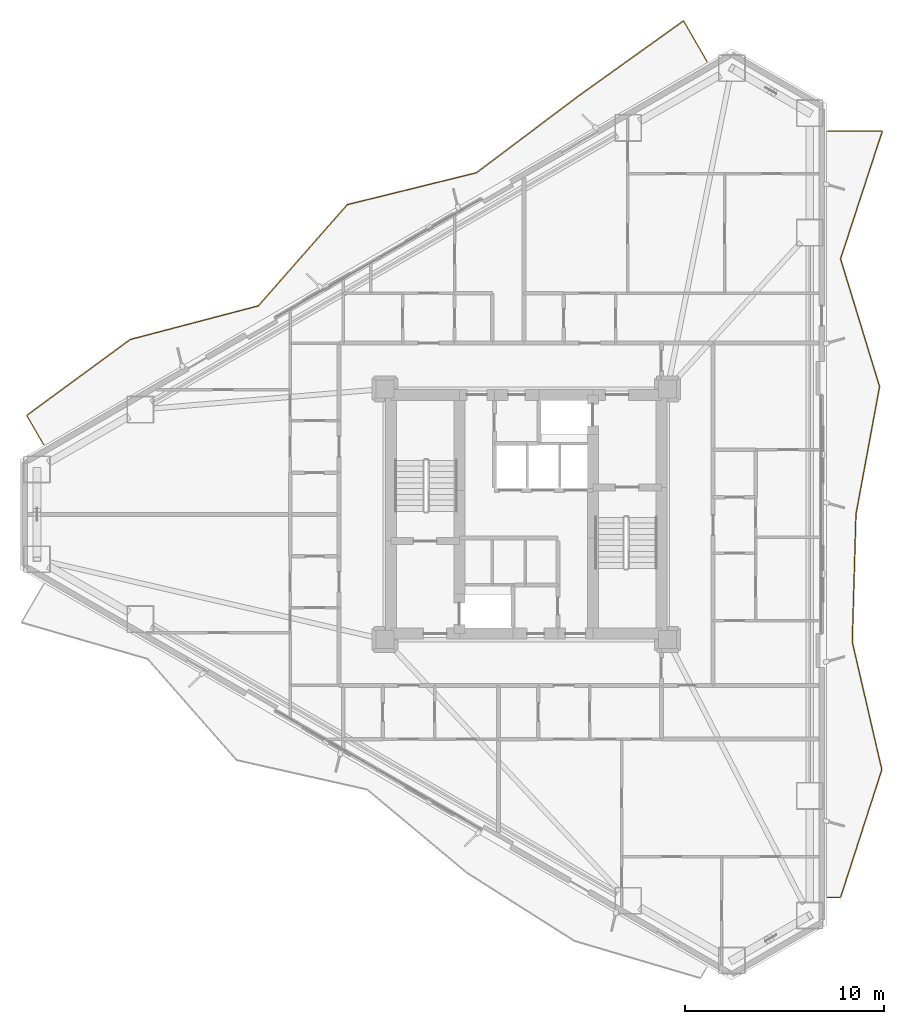
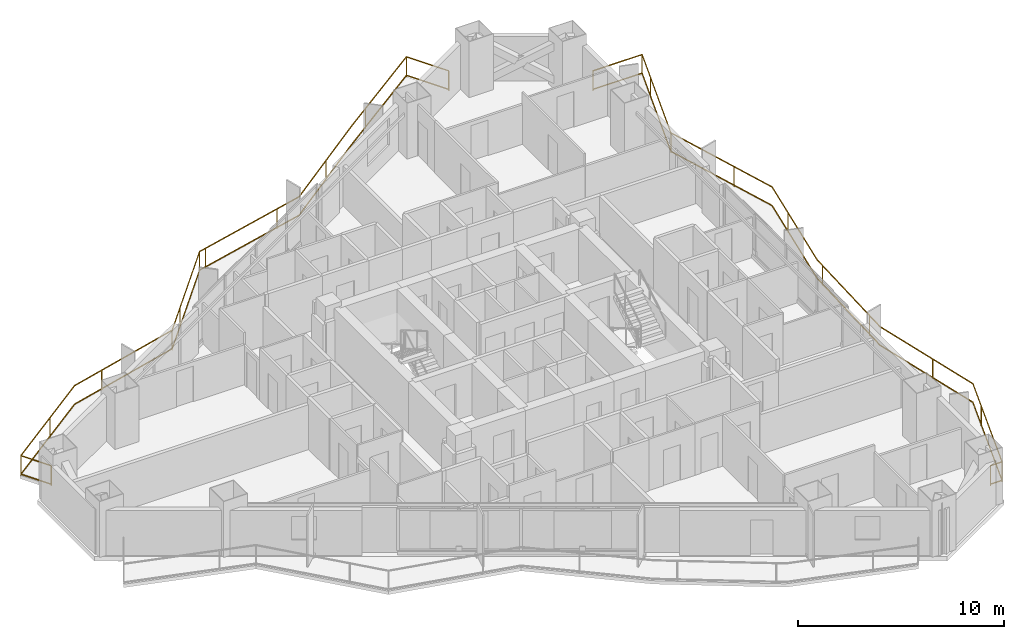
# One storey, part 18 of 18: 2 railings.
"""IFC4 building model written with IfcOpenShell, lengths in metres."""

from ifc_helpers import new_model, si_unit, direction, frame, origin, origin_2d, place, context, subcontext, project, spatial, rectangle, extrude, material, type_object, element, save


model = new_model("IFC4")

# Units and contexts
model_context = context("Model", 3, precision=1e-05, world=origin(), true_north=direction((0.0, 1.0)))
body_context = subcontext(model_context, "Body", "Model", "MODEL_VIEW")
ifc_project = project(units=[si_unit("LENGTHUNIT", "METRE"), si_unit("AREAUNIT", "SQUARE_METRE"), si_unit("VOLUMEUNIT", "CUBIC_METRE"), si_unit("PLANEANGLEUNIT", "RADIAN"), si_unit("MASSUNIT", "GRAM", prefix="KILO")], contexts=[model_context])

# Site, building, storey
site_placement = place(None, origin())
site = spatial("IfcSite", under=ifc_project, at=site_placement, CompositionType="ELEMENT")
building_placement = place(site_placement, origin())
building = spatial("IfcBuilding", under=site, at=building_placement, Name="Mersakhor Tower and Convention Hall", CompositionType="ELEMENT")
storey_placement = place(building_placement, frame((0.0, 0.0, 32.39990234375)))
storey = spatial("IfcBuildingStorey", under=building, at=storey_placement, Name="L08", CompositionType="ELEMENT", Elevation=32.39990234375)

# Railings
ifc_material = material(Name="Powder-coated galvanised steel and laminated glass balustrade", Category="steel")
railing_type = type_object("IfcRailingType", Name="RL-BAL-1200", PredefinedType="BALUSTRADE", material=ifc_material)
railing_1_placement = place(storey_placement, frame((38.099609375, 49.497314453125, 0.0)))
element("IfcRailing", 1, at=railing_1_placement, inside=storey, type_object=railing_type, Name="L08 Sinusoidal Balcony Balustrade F1", PredefinedType="BALUSTRADE", context=body_context, shape_type="SweptSolid", body=[
    extrude(rectangle(XDim=0.048095703125, YDim=0.048095703125, at=origin_2d()), frame((0.0, 0.0, 1.17578125), z_axis=(-0.500073288705, 0.865983086396, 0.0), x_axis=(-0.865983086396, -0.500073288705, 0.0)), (0.0, 0.0, 1.0), 2.369384765625),
    extrude(rectangle(XDim=0.048095703125, YDim=0.048095703125, at=origin_2d()), frame((0.0, 0.0, 0.080078125), z_axis=(-0.500073288705, 0.865983086396, 0.0), x_axis=(-0.865983086396, -0.500073288705, 0.0)), (0.0, 0.0, 1.0), 2.369384765625),
    extrude(rectangle(XDim=0.048095703125, YDim=0.048095703125, at=origin_2d()), frame((-1.184814453125, 2.0517578125, 1.17578125), z_axis=(-0.813357253982, -0.58176453776, 0.0), x_axis=(0.58176453776, -0.813357253982, 0.0)), (0.0, 0.0, 1.0), 6.448486328125),
    extrude(rectangle(XDim=0.048095703125, YDim=0.048095703125, at=origin_2d()), frame((-1.184814453125, 2.0517578125, 0.080078125), z_axis=(-0.813357253982, -0.58176453776, 0.0), x_axis=(0.58176453776, -0.813357253982, 0.0)), (0.0, 0.0, 1.0), 6.448486328125),
    extrude(rectangle(XDim=0.048095703125, YDim=0.048095703125, at=origin_2d()), frame((-6.4296875, -1.69970703125, 1.17578125), z_axis=(-0.799247174238, -0.601002457959, 0.0), x_axis=(0.601002457959, -0.799247174238, 0.0)), (0.0, 0.0, 1.0), 6.46533203125),
    extrude(rectangle(XDim=0.048095703125, YDim=0.048095703125, at=origin_2d()), frame((-6.4296875, -1.69970703125, 0.080078125), z_axis=(-0.799247174238, -0.601002457959, 0.0), x_axis=(0.601002457959, -0.799247174238, 0.0)), (0.0, 0.0, 1.0), 6.46533203125),
    extrude(rectangle(XDim=0.048095703125, YDim=0.048095703125, at=origin_2d()), frame((-11.59716796875, -5.58544921875, 1.17578125), z_axis=(-0.970930407813, -0.239361950159, 0.0), x_axis=(0.239361950159, -0.970930407813, 0.0)), (0.0, 0.0, 1.0), 6.681884765625),
    extrude(rectangle(XDim=0.048095703125, YDim=0.048095703125, at=origin_2d()), frame((-11.59716796875, -5.58544921875, 0.080078125), z_axis=(-0.970930407813, -0.239361950159, 0.0), x_axis=(0.239361950159, -0.970930407813, 0.0)), (0.0, 0.0, 1.0), 6.681884765625),
    extrude(rectangle(XDim=0.048095703125, YDim=0.048095703125, at=origin_2d()), frame((-18.084716796875, -7.184814453125, 1.17578125), z_axis=(-0.6602427576, -0.75105226252, 0.0), x_axis=(0.75105226252, -0.6602427576, 0.0)), (0.0, 0.0, 1.0), 6.77490234375),
    extrude(rectangle(XDim=0.048095703125, YDim=0.048095703125, at=origin_2d()), frame((-18.084716796875, -7.184814453125, 0.080078125), z_axis=(-0.6602427576, -0.75105226252, 0.0), x_axis=(0.75105226252, -0.6602427576, 0.0)), (0.0, 0.0, 1.0), 6.77490234375),
    extrude(rectangle(XDim=0.048095703125, YDim=0.048095703125, at=origin_2d()), frame((-22.557861328125, -12.273193359375, 1.17578125), z_axis=(-0.967215081203, -0.253958631853, 0.0), x_axis=(0.253958631853, -0.967215081203, 0.0)), (0.0, 0.0, 1.0), 6.6533203125),
    extrude(rectangle(XDim=0.048095703125, YDim=0.048095703125, at=origin_2d()), frame((-22.557861328125, -12.273193359375, 0.080078125), z_axis=(-0.967215081203, -0.253958631853, 0.0), x_axis=(0.253958631853, -0.967215081203, 0.0)), (0.0, 0.0, 1.0), 6.6533203125),
    extrude(rectangle(XDim=0.048095703125, YDim=0.048095703125, at=origin_2d()), frame((-28.9931640625, -13.962890625, 1.17578125), z_axis=(-0.806325646748, -0.591471851737, 0.0), x_axis=(0.591471851737, -0.806325646748, 0.0)), (0.0, 0.0, 1.0), 6.45654296875),
    extrude(rectangle(XDim=0.048095703125, YDim=0.048095703125, at=origin_2d()), frame((-28.9931640625, -13.962890625, 0.080078125), z_axis=(-0.806325646748, -0.591471851737, 0.0), x_axis=(0.591471851737, -0.806325646748, 0.0)), (0.0, 0.0, 1.0), 6.45654296875),
    extrude(rectangle(XDim=0.048095703125, YDim=0.048095703125, at=origin_2d()), frame((-34.19921875, -17.78173828125, 1.17578125), z_axis=(0.500062241894, -0.865989465428, 0.0), x_axis=(0.865989465428, 0.500062241894, 0.0)), (0.0, 0.0, 1.0), 1.699951171875),
    extrude(rectangle(XDim=0.048095703125, YDim=0.048095703125, at=origin_2d()), frame((-34.19921875, -17.78173828125, 0.080078125), z_axis=(0.500062241894, -0.865989465428, 0.0), x_axis=(0.865989465428, 0.500062241894, 0.0)), (0.0, 0.0, 1.0), 1.699951171875),
    extrude(rectangle(XDim=0.0419921875, YDim=0.0419921875, at=origin_2d()), origin(), (0.0, 0.0, 1.0), 1.15185546875),
    extrude(rectangle(XDim=0.0419921875, YDim=0.0419921875, at=origin_2d()), frame((-1.184814453125, 2.0517578125, 0.0)), (0.0, 0.0, 1.0), 1.15185546875),
    extrude(rectangle(XDim=0.0419921875, YDim=0.0419921875, at=origin_2d()), frame((-5.0888671875, -0.74072265625, 0.0)), (0.0, 0.0, 1.0), 1.15185546875),
    extrude(rectangle(XDim=0.0419921875, YDim=0.0419921875, at=origin_2d()), frame((-8.948486328125, -3.59375, 0.0)), (0.0, 0.0, 1.0), 1.15185546875),
    extrude(rectangle(XDim=0.0419921875, YDim=0.0419921875, at=origin_2d()), frame((-13.0400390625, -5.941162109375, 0.0)), (0.0, 0.0, 1.0), 1.15185546875),
    extrude(rectangle(XDim=0.0419921875, YDim=0.0419921875, at=origin_2d()), frame((-17.70068359375, -7.090087890625, 0.0)), (0.0, 0.0, 1.0), 1.15185546875),
    extrude(rectangle(XDim=0.0419921875, YDim=0.0419921875, at=origin_2d()), frame((-18.084716796875, -7.184814453125, 0.0)), (0.0, 0.0, 1.0), 1.15185546875),
    extrude(rectangle(XDim=0.0419921875, YDim=0.0419921875, at=origin_2d()), frame((-21.25390625, -10.789794921875, 0.0)), (0.0, 0.0, 1.0), 1.15185546875),
    extrude(rectangle(XDim=0.0419921875, YDim=0.0419921875, at=origin_2d()), frame((-22.557861328125, -12.273193359375, 0.0)), (0.0, 0.0, 1.0), 1.15185546875),
    extrude(rectangle(XDim=0.0419921875, YDim=0.0419921875, at=origin_2d()), frame((-27.200439453125, -13.4921875, 0.0)), (0.0, 0.0, 1.0), 1.15185546875),
    extrude(rectangle(XDim=0.0419921875, YDim=0.0419921875, at=origin_2d()), frame((-31.369140625, -15.705810546875, 0.0)), (0.0, 0.0, 1.0), 1.15185546875),
    extrude(rectangle(XDim=0.0419921875, YDim=0.0419921875, at=origin_2d()), frame((-34.19921875, -17.78173828125, 0.0)), (0.0, 0.0, 1.0), 1.15185546875),
    extrude(rectangle(XDim=0.0419921875, YDim=0.0419921875, at=origin_2d()), frame((-33.34912109375, -19.25390625, 0.0)), (0.0, 0.0, 1.0), 1.15185546875),
])
railing_2_placement = place(storey_placement, frame((44.14990234375, 7.49609375, 0.0)))
element("IfcRailing", 2, at=railing_2_placement, inside=storey, type_object=railing_type, Name="L08 Sinusoidal Balcony Balustrade F2", PredefinedType="BALUSTRADE", context=body_context, shape_type="SweptSolid", body=[
    extrude(rectangle(XDim=0.048095703125, YDim=0.048095703125, at=origin_2d()), frame((0.0, 0.0, 1.17578125), z_axis=(1.0, 0.0, 0.0), x_axis=(0.0, 1.0, 0.0)), (0.0, 0.0, 1.0), 0.650146484375),
    extrude(rectangle(XDim=0.048095703125, YDim=0.048095703125, at=origin_2d()), frame((0.0, 0.0, 0.080078125), z_axis=(1.0, 0.0, 0.0), x_axis=(0.0, 1.0, 0.0)), (0.0, 0.0, 1.0), 0.650146484375),
    extrude(rectangle(XDim=0.048095703125, YDim=0.048095703125, at=origin_2d()), frame((0.650146484375, 0.0, 1.17578125), z_axis=(0.30775668324, 0.95146509338, 0.0), x_axis=(-0.95146509338, 0.30775668324, 0.0)), (0.0, 0.0, 1.0), 6.745361328125),
    extrude(rectangle(XDim=0.048095703125, YDim=0.048095703125, at=origin_2d()), frame((0.650146484375, 0.0, 0.080078125), z_axis=(0.30775668324, 0.95146509338, 0.0), x_axis=(-0.95146509338, 0.30775668324, 0.0)), (0.0, 0.0, 1.0), 6.745361328125),
    extrude(rectangle(XDim=0.048095703125, YDim=0.048095703125, at=origin_2d()), frame((2.72607421875, 6.41796875, 1.17578125), z_axis=(-0.225652453902, 0.974207867987, 0.0), x_axis=(-0.974207867987, -0.225652453902, 0.0)), (0.0, 0.0, 1.0), 6.587890625),
    extrude(rectangle(XDim=0.048095703125, YDim=0.048095703125, at=origin_2d()), frame((2.72607421875, 6.41796875, 0.080078125), z_axis=(-0.225652453902, 0.974207867987, 0.0), x_axis=(-0.974207867987, -0.225652453902, 0.0)), (0.0, 0.0, 1.0), 6.587890625),
    extrude(rectangle(XDim=0.048095703125, YDim=0.048095703125, at=origin_2d()), frame((1.239501953125, 12.8359375, 1.17578125), z_axis=(0.028670497689, 0.999588916786, 0.0), x_axis=(-0.999588916786, 0.028670497689, 0.0)), (0.0, 0.0, 1.0), 6.420654296875),
    extrude(rectangle(XDim=0.048095703125, YDim=0.048095703125, at=origin_2d()), frame((1.239501953125, 12.8359375, 0.080078125), z_axis=(0.028670497689, 0.999588916786, 0.0), x_axis=(-0.999588916786, 0.028670497689, 0.0)), (0.0, 0.0, 1.0), 6.420654296875),
    extrude(rectangle(XDim=0.048095703125, YDim=0.048095703125, at=origin_2d()), frame((1.423583984375, 19.25390625, 1.17578125), z_axis=(0.181866904455, 0.983323155969, 0.0), x_axis=(-0.983323155969, 0.181866904455, 0.0)), (0.0, 0.0, 1.0), 6.52685546875),
    extrude(rectangle(XDim=0.048095703125, YDim=0.048095703125, at=origin_2d()), frame((1.423583984375, 19.25390625, 0.080078125), z_axis=(0.181866904455, 0.983323155969, 0.0), x_axis=(-0.983323155969, 0.181866904455, 0.0)), (0.0, 0.0, 1.0), 6.52685546875),
    extrude(rectangle(XDim=0.048095703125, YDim=0.048095703125, at=origin_2d()), frame((2.610595703125, 25.671875, 1.17578125), z_axis=(-0.292137197826, 0.956376420478, 0.0), x_axis=(-0.956376420478, -0.292137197826, 0.0)), (0.0, 0.0, 1.0), 6.710693359375),
    extrude(rectangle(XDim=0.048095703125, YDim=0.048095703125, at=origin_2d()), frame((2.610595703125, 25.671875, 0.080078125), z_axis=(-0.292137197826, 0.956376420478, 0.0), x_axis=(-0.956376420478, -0.292137197826, 0.0)), (0.0, 0.0, 1.0), 6.710693359375),
    extrude(rectangle(XDim=0.048095703125, YDim=0.048095703125, at=origin_2d()), frame((0.650146484375, 32.08984375, 1.17578125), z_axis=(0.310701164344, 0.950507646721, 0.0), x_axis=(-0.950507646721, 0.310701164344, 0.0)), (0.0, 0.0, 1.0), 6.752197265625),
    extrude(rectangle(XDim=0.048095703125, YDim=0.048095703125, at=origin_2d()), frame((0.650146484375, 32.08984375, 0.080078125), z_axis=(0.310701164344, 0.950507646721, 0.0), x_axis=(-0.950507646721, 0.310701164344, 0.0)), (0.0, 0.0, 1.0), 6.752197265625),
    extrude(rectangle(XDim=0.048095703125, YDim=0.048095703125, at=origin_2d()), frame((2.748046875, 38.5078125, 1.17578125), z_axis=(-1.0, 0.0, 0.0), x_axis=(0.0, -1.0, 0.0)), (0.0, 0.0, 1.0), 2.748046875),
    extrude(rectangle(XDim=0.048095703125, YDim=0.048095703125, at=origin_2d()), frame((2.748046875, 38.5078125, 0.080078125), z_axis=(-1.0, 0.0, 0.0), x_axis=(0.0, -1.0, 0.0)), (0.0, 0.0, 1.0), 2.748046875),
    extrude(rectangle(XDim=0.0419921875, YDim=0.0419921875, at=origin_2d()), origin(), (0.0, 0.0, 1.0), 1.15185546875),
    extrude(rectangle(XDim=0.0419921875, YDim=0.0419921875, at=origin_2d()), frame((0.650146484375, 0.0, 0.0)), (0.0, 0.0, 1.0), 1.15185546875),
    extrude(rectangle(XDim=0.0419921875, YDim=0.0419921875, at=origin_2d()), frame((2.12744140625, 4.567138671875, 0.0)), (0.0, 0.0, 1.0), 1.15185546875),
    extrude(rectangle(XDim=0.0419921875, YDim=0.0419921875, at=origin_2d()), frame((2.08203125, 9.198974609375, 0.0)), (0.0, 0.0, 1.0), 1.15185546875),
    extrude(rectangle(XDim=0.0419921875, YDim=0.0419921875, at=origin_2d()), frame((1.27001953125, 13.90234375, 0.0)), (0.0, 0.0, 1.0), 1.15185546875),
    extrude(rectangle(XDim=0.0419921875, YDim=0.0419921875, at=origin_2d()), frame((1.40771484375, 18.7001953125, 0.0)), (0.0, 0.0, 1.0), 1.15185546875),
    extrude(rectangle(XDim=0.0419921875, YDim=0.0419921875, at=origin_2d()), frame((2.19580078125, 23.42919921875, 0.0)), (0.0, 0.0, 1.0), 1.15185546875),
    extrude(rectangle(XDim=0.0419921875, YDim=0.0419921875, at=origin_2d()), frame((1.87451171875, 28.081298828125, 0.0)), (0.0, 0.0, 1.0), 1.15185546875),
    extrude(rectangle(XDim=0.0419921875, YDim=0.0419921875, at=origin_2d()), frame((0.650146484375, 32.08984375, 0.0)), (0.0, 0.0, 1.0), 1.15185546875),
    extrude(rectangle(XDim=0.0419921875, YDim=0.0419921875, at=origin_2d()), frame((2.1416015625, 36.65234375, 0.0)), (0.0, 0.0, 1.0), 1.15185546875),
    extrude(rectangle(XDim=0.0419921875, YDim=0.0419921875, at=origin_2d()), frame((2.748046875, 38.5078125, 0.0)), (0.0, 0.0, 1.0), 1.15185546875),
    extrude(rectangle(XDim=0.0419921875, YDim=0.0419921875, at=origin_2d()), frame((0.0, 38.5078125, 0.0)), (0.0, 0.0, 1.0), 1.15185546875),
])

save(model, "model.ifc")
